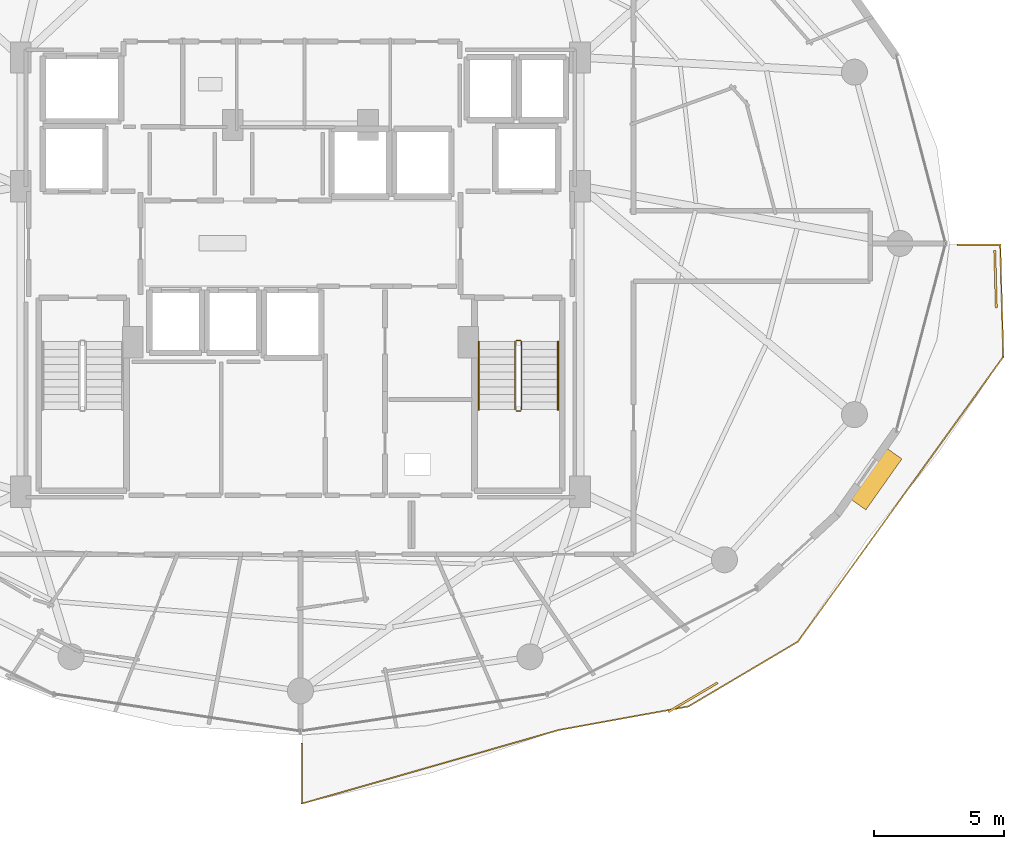
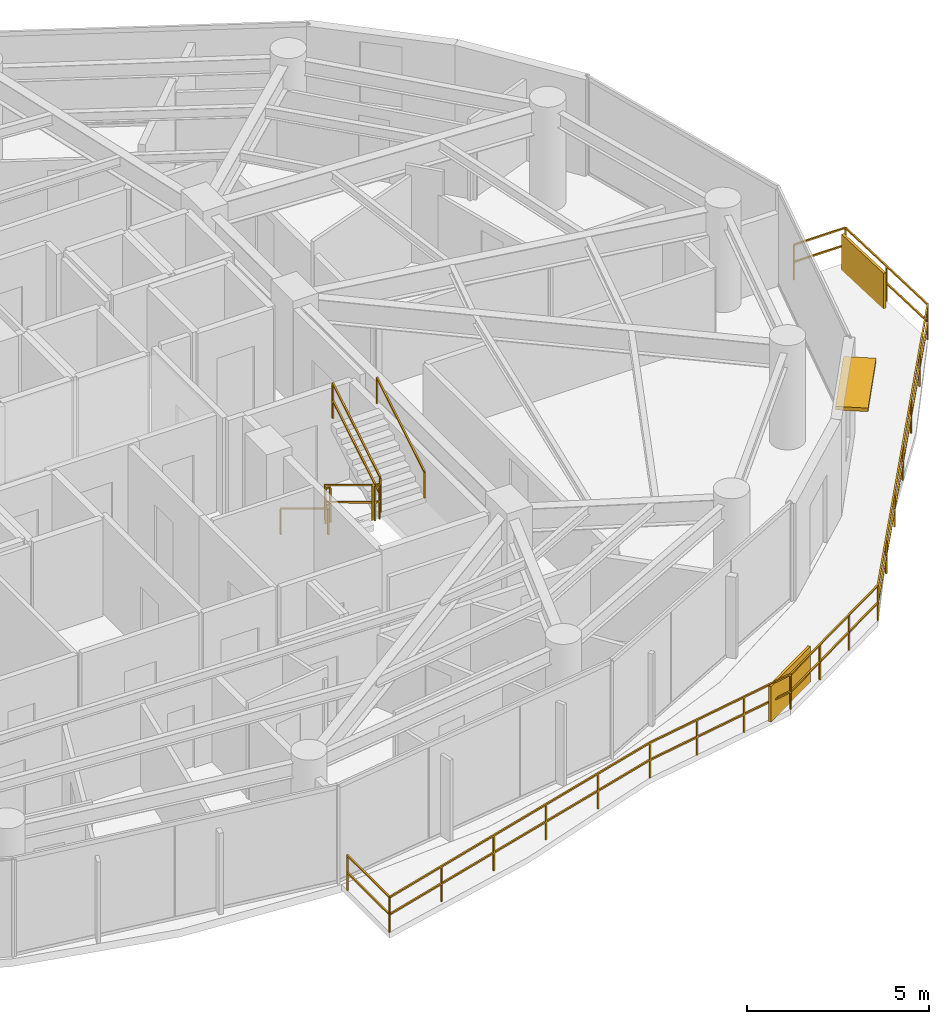
# One storey, part 29 of 31: 8 railings, 3 shading devices.
"""IFC4 building model written with IfcOpenShell, lengths in metres."""

from ifc_helpers import new_model, si_unit, direction, frame, origin, origin_2d, place, context, subcontext, project, spatial, rectangle, extrude, material, type_object, element, save


model = new_model("IFC4")

# Units and contexts
model_context = context("Model", 3, precision=1e-05, world=origin(), true_north=direction((0.0, 1.0)))
body_context = subcontext(model_context, "Body", "Model", "MODEL_VIEW")
ifc_project = project(units=[si_unit("LENGTHUNIT", "METRE"), si_unit("AREAUNIT", "SQUARE_METRE"), si_unit("VOLUMEUNIT", "CUBIC_METRE"), si_unit("PLANEANGLEUNIT", "RADIAN"), si_unit("MASSUNIT", "GRAM", prefix="KILO")], contexts=[model_context])

# Site, building, storey
site_placement = place(None, origin())
site = spatial("IfcSite", under=ifc_project, at=site_placement, CompositionType="ELEMENT")
building_placement = place(site_placement, origin())
building = spatial("IfcBuilding", under=site, at=building_placement, Name="Vorneva Point Tower", CompositionType="ELEMENT")
storey_placement = place(building_placement, frame((0.0, 0.0, 129.10009765625)))
storey = spatial("IfcBuildingStorey", under=building, at=storey_placement, Name="L34", CompositionType="ELEMENT", Elevation=129.10009765625)

# Railings
ifc_material_1 = material(Name="Pale anodised aluminium", Category="aluminium")
railing_type_1 = type_object("IfcRailingType", Name="RL-BAL-1200", PredefinedType="BALUSTRADE", material=ifc_material_1)
railing_1_placement = place(storey_placement, frame((65.020751953125, 21.643310546875, 0.0)))
element("IfcRailing", 1, at=railing_1_placement, inside=storey, type_object=railing_type_1, Name="L34 Wave Balcony Balustrade SE.1", PredefinedType="BALUSTRADE", context=body_context, shape_type="SweptSolid", body=[
    extrude(rectangle(XDim=0.048095703125, YDim=0.048095703125, at=origin_2d()), frame((0.0, 0.0, 1.17578125), z_axis=(-0.027710443314, 0.999615991935, 0.0), x_axis=(-0.999615991935, -0.027710443314, 0.0)), (0.0, 0.0, 1.0), 4.308349609375),
    extrude(rectangle(XDim=0.048095703125, YDim=0.048095703125, at=origin_2d()), frame((0.0, 0.0, 0.60009765625), z_axis=(-0.027710443314, 0.999615991935, 0.0), x_axis=(-0.999615991935, -0.027710443314, 0.0)), (0.0, 0.0, 1.0), 4.308349609375),
    extrude(rectangle(XDim=0.048095703125, YDim=0.048095703125, at=origin_2d()), frame((-0.119384765625, 4.306640625, 1.17578125), z_axis=(-1.0, 0.0, 0.0), x_axis=(0.0, -1.0, 0.0)), (0.0, 0.0, 1.0), 1.63525390625),
    extrude(rectangle(XDim=0.048095703125, YDim=0.048095703125, at=origin_2d()), frame((-0.119384765625, 4.306640625, 0.60009765625), z_axis=(-1.0, 0.0, 0.0), x_axis=(0.0, -1.0, 0.0)), (0.0, 0.0, 1.0), 1.63525390625),
    extrude(rectangle(XDim=0.0419921875, YDim=0.0419921875, at=origin_2d()), origin(), (0.0, 0.0, 1.0), 1.15185546875),
    extrude(rectangle(XDim=0.0419921875, YDim=0.0419921875, at=origin_2d()), frame((-0.0595703125, 2.1533203125, 0.0)), (0.0, 0.0, 1.0), 1.15185546875),
    extrude(rectangle(XDim=0.0419921875, YDim=0.0419921875, at=origin_2d()), frame((-0.119384765625, 4.306640625, 0.0)), (0.0, 0.0, 1.0), 1.15185546875),
    extrude(rectangle(XDim=0.0419921875, YDim=0.0419921875, at=origin_2d()), frame((-1.754638671875, 4.306640625, 0.0)), (0.0, 0.0, 1.0), 1.15185546875),
])
railing_2_placement = place(storey_placement, frame((38.050048828125, 6.78271484375, 0.0)))
element("IfcRailing", 2, at=railing_2_placement, inside=storey, type_object=railing_type_1, Name="L34 Wave Balcony Balustrade SE.2", PredefinedType="BALUSTRADE", context=body_context, shape_type="SweptSolid", body=[
    extrude(rectangle(XDim=0.048095703125, YDim=0.048095703125, at=origin_2d()), frame((0.0, 0.0, 1.17578125), z_axis=(0.0, -1.0, 0.0), x_axis=(1.0, 0.0, 0.0)), (0.0, 0.0, 1.0), 2.32080078125),
    extrude(rectangle(XDim=0.048095703125, YDim=0.048095703125, at=origin_2d()), frame((0.0, 0.0, 0.60009765625), z_axis=(0.0, -1.0, 0.0), x_axis=(1.0, 0.0, 0.0)), (0.0, 0.0, 1.0), 2.32080078125),
    extrude(rectangle(XDim=0.048095703125, YDim=0.048095703125, at=origin_2d()), frame((0.0, -2.32080078125, 1.17578125), z_axis=(0.961314976181, 0.275451477706, 0.0), x_axis=(-0.275451477706, 0.961314976181, 0.0)), (0.0, 0.0, 1.0), 10.285888671875),
    extrude(rectangle(XDim=0.048095703125, YDim=0.048095703125, at=origin_2d()), frame((0.0, -2.32080078125, 0.60009765625), z_axis=(0.961314976181, 0.275451477706, 0.0), x_axis=(-0.275451477706, 0.961314976181, 0.0)), (0.0, 0.0, 1.0), 10.285888671875),
    extrude(rectangle(XDim=0.048095703125, YDim=0.048095703125, at=origin_2d()), frame((9.887939453125, 0.512451171875, 1.17578125), z_axis=(0.983942381483, 0.178486385816, 0.0), x_axis=(-0.178486385816, 0.983942381483, 0.0)), (0.0, 0.0, 1.0), 5.06103515625),
    extrude(rectangle(XDim=0.048095703125, YDim=0.048095703125, at=origin_2d()), frame((9.887939453125, 0.512451171875, 0.60009765625), z_axis=(0.983942381483, 0.178486385816, 0.0), x_axis=(-0.178486385816, 0.983942381483, 0.0)), (0.0, 0.0, 1.0), 5.06103515625),
    extrude(rectangle(XDim=0.048095703125, YDim=0.048095703125, at=origin_2d()), frame((14.86767578125, 1.415771484375, 1.17578125), z_axis=(0.860395480632, 0.509626938955, 0.0), x_axis=(-0.509626938955, 0.860395480632, 0.0)), (0.0, 0.0, 1.0), 4.882568359375),
    extrude(rectangle(XDim=0.048095703125, YDim=0.048095703125, at=origin_2d()), frame((14.86767578125, 1.415771484375, 0.60009765625), z_axis=(0.860395480632, 0.509626938955, 0.0), x_axis=(-0.509626938955, 0.860395480632, 0.0)), (0.0, 0.0, 1.0), 4.882568359375),
    extrude(rectangle(XDim=0.048095703125, YDim=0.048095703125, at=origin_2d()), frame((19.068603515625, 3.904052734375, 1.17578125), z_axis=(0.584957265897, 0.811064114034, 0.0), x_axis=(-0.811064114034, 0.584957265897, 0.0)), (0.0, 0.0, 1.0), 13.5087890625),
    extrude(rectangle(XDim=0.048095703125, YDim=0.048095703125, at=origin_2d()), frame((19.068603515625, 3.904052734375, 0.60009765625), z_axis=(0.584957265897, 0.811064114034, 0.0), x_axis=(-0.811064114034, 0.584957265897, 0.0)), (0.0, 0.0, 1.0), 13.5087890625),
    extrude(rectangle(XDim=0.0419921875, YDim=0.0419921875, at=origin_2d()), origin(), (0.0, 0.0, 1.0), 1.15185546875),
    extrude(rectangle(XDim=0.0419921875, YDim=0.0419921875, at=origin_2d()), frame((0.0, -2.32080078125, 0.0)), (0.0, 0.0, 1.0), 1.15185546875),
    extrude(rectangle(XDim=0.0419921875, YDim=0.0419921875, at=origin_2d()), frame((1.9775390625, -1.754150390625, 0.0)), (0.0, 0.0, 1.0), 1.15185546875),
    extrude(rectangle(XDim=0.0419921875, YDim=0.0419921875, at=origin_2d()), frame((3.955078125, -1.1875, 0.0)), (0.0, 0.0, 1.0), 1.15185546875),
    extrude(rectangle(XDim=0.0419921875, YDim=0.0419921875, at=origin_2d()), frame((5.932861328125, -0.620849609375, 0.0)), (0.0, 0.0, 1.0), 1.15185546875),
    extrude(rectangle(XDim=0.0419921875, YDim=0.0419921875, at=origin_2d()), frame((7.910400390625, -0.05419921875, 0.0)), (0.0, 0.0, 1.0), 1.15185546875),
    extrude(rectangle(XDim=0.0419921875, YDim=0.0419921875, at=origin_2d()), frame((9.887939453125, 0.512451171875, 0.0)), (0.0, 0.0, 1.0), 1.15185546875),
    extrude(rectangle(XDim=0.0419921875, YDim=0.0419921875, at=origin_2d()), frame((11.5478515625, 0.8134765625, 0.0)), (0.0, 0.0, 1.0), 1.15185546875),
    extrude(rectangle(XDim=0.0419921875, YDim=0.0419921875, at=origin_2d()), frame((13.207763671875, 1.11474609375, 0.0)), (0.0, 0.0, 1.0), 1.15185546875),
    extrude(rectangle(XDim=0.0419921875, YDim=0.0419921875, at=origin_2d()), frame((14.86767578125, 1.415771484375, 0.0)), (0.0, 0.0, 1.0), 1.15185546875),
    extrude(rectangle(XDim=0.0419921875, YDim=0.0419921875, at=origin_2d()), frame((16.26806640625, 2.2451171875, 0.0)), (0.0, 0.0, 1.0), 1.15185546875),
    extrude(rectangle(XDim=0.0419921875, YDim=0.0419921875, at=origin_2d()), frame((17.668212890625, 3.07470703125, 0.0)), (0.0, 0.0, 1.0), 1.15185546875),
    extrude(rectangle(XDim=0.0419921875, YDim=0.0419921875, at=origin_2d()), frame((19.068603515625, 3.904052734375, 0.0)), (0.0, 0.0, 1.0), 1.15185546875),
    extrude(rectangle(XDim=0.0419921875, YDim=0.0419921875, at=origin_2d()), frame((20.3857421875, 5.730224609375, 0.0)), (0.0, 0.0, 1.0), 1.15185546875),
    extrude(rectangle(XDim=0.0419921875, YDim=0.0419921875, at=origin_2d()), frame((21.70263671875, 7.55615234375, 0.0)), (0.0, 0.0, 1.0), 1.15185546875),
    extrude(rectangle(XDim=0.0419921875, YDim=0.0419921875, at=origin_2d()), frame((23.01953125, 9.38232421875, 0.0)), (0.0, 0.0, 1.0), 1.15185546875),
    extrude(rectangle(XDim=0.0419921875, YDim=0.0419921875, at=origin_2d()), frame((24.336669921875, 11.20849609375, 0.0)), (0.0, 0.0, 1.0), 1.15185546875),
    extrude(rectangle(XDim=0.0419921875, YDim=0.0419921875, at=origin_2d()), frame((25.65380859375, 13.034423828125, 0.0)), (0.0, 0.0, 1.0), 1.15185546875),
    extrude(rectangle(XDim=0.0419921875, YDim=0.0419921875, at=origin_2d()), frame((26.970703125, 14.860595703125, 0.0)), (0.0, 0.0, 1.0), 1.15185546875),
])
ifc_material_2 = material(Name="Brushed stainless steel S304", Category="steel")
railing_type_2 = type_object("IfcRailingType", Name="RL-HND-920", PredefinedType="HANDRAIL", material=ifc_material_2)
railing_3_placement = place(storey_placement, frame((44.85009765625, 22.219970703125, 0.1748046875)))
element("IfcRailing", 3, at=railing_3_placement, inside=storey, type_object=railing_type_2, Name="L34 ST2 stair handrail 1", PredefinedType="HANDRAIL", context=body_context, shape_type="SweptSolid", body=[
    extrude(rectangle(XDim=0.048095703125, YDim=0.048095703125, at=origin_2d()), frame((0.0, 0.0, 0.8759765625), z_axis=(0.0, -0.856147343639, 0.516731773728), x_axis=(1.0, 0.0, 0.0)), (0.0, 0.0, 1.0), 3.04833984375),
    extrude(rectangle(XDim=0.0419921875, YDim=0.0419921875, at=origin_2d()), origin(), (0.0, 0.0, 1.0), 0.851806640625),
    extrude(rectangle(XDim=0.0419921875, YDim=0.0419921875, at=origin_2d()), frame((0.0, -2.60986328125, 1.5751953125)), (0.0, 0.0, 1.0), 0.851806640625),
])
railing_4_placement = place(storey_placement, frame((47.89990234375, 19.610107421875, 1.9248046875)))
element("IfcRailing", 4, at=railing_4_placement, inside=storey, type_object=railing_type_2, Name="L34 ST2 stair handrail 2", PredefinedType="HANDRAIL", context=body_context, shape_type="SweptSolid", body=[
    extrude(rectangle(XDim=0.048095703125, YDim=0.048095703125, at=origin_2d()), frame((0.0, 0.0, 0.8759765625), z_axis=(0.0, 0.856147343639, 0.516731773728), x_axis=(-1.0, 0.0, 0.0)), (0.0, 0.0, 1.0), 3.04833984375),
    extrude(rectangle(XDim=0.0419921875, YDim=0.0419921875, at=origin_2d()), origin(), (0.0, 0.0, 1.0), 0.851806640625),
    extrude(rectangle(XDim=0.0419921875, YDim=0.0419921875, at=origin_2d()), frame((0.0, 2.60986328125, 1.5751953125)), (0.0, 0.0, 1.0), 0.851806640625),
])
railing_type_3 = type_object("IfcRailingType", Name="RL-STG-1100", PredefinedType="GUARDRAIL", material=ifc_material_2)
railing_5_placement = place(storey_placement, frame((46.25, 22.219970703125, 0.1748046875)))
element("IfcRailing", 5, at=railing_5_placement, inside=storey, type_object=railing_type_3, Name="L34 ST2 stair guard 1", PredefinedType="GUARDRAIL", context=body_context, shape_type="SweptSolid", body=[
    extrude(rectangle(XDim=0.048095703125, YDim=0.048095703125, at=origin_2d()), frame((0.0, 0.0, 1.17578125), z_axis=(0.0, -0.856147343639, 0.516731773728), x_axis=(1.0, 0.0, 0.0)), (0.0, 0.0, 1.0), 3.04833984375),
    extrude(rectangle(XDim=0.048095703125, YDim=0.048095703125, at=origin_2d()), frame((0.0, 0.0, 0.60009765625), z_axis=(0.0, -0.856147343639, 0.516731773728), x_axis=(1.0, 0.0, 0.0)), (0.0, 0.0, 1.0), 3.04833984375),
    extrude(rectangle(XDim=0.0419921875, YDim=0.0419921875, at=origin_2d()), origin(), (0.0, 0.0, 1.0), 1.15185546875),
    extrude(rectangle(XDim=0.0419921875, YDim=0.0419921875, at=origin_2d()), frame((0.0, -2.60986328125, 1.5751953125)), (0.0, 0.0, 1.0), 1.15185546875),
])
railing_6_placement = place(storey_placement, frame((46.300048828125, 19.56005859375, 1.75)))
element("IfcRailing", 6, at=railing_6_placement, inside=storey, type_object=railing_type_3, Name="L34 ST2 stair guard 2", PredefinedType="GUARDRAIL", context=body_context, shape_type="SweptSolid", body=[
    extrude(rectangle(XDim=0.048095703125, YDim=0.048095703125, at=origin_2d()), frame((0.0, 0.0, 1.17578125), z_axis=(1.0, 0.0, 0.0), x_axis=(0.0, 1.0, 0.0)), (0.0, 0.0, 1.0), 0.14990234375),
    extrude(rectangle(XDim=0.048095703125, YDim=0.048095703125, at=origin_2d()), frame((0.0, 0.0, 0.60009765625), z_axis=(1.0, 0.0, 0.0), x_axis=(0.0, 1.0, 0.0)), (0.0, 0.0, 1.0), 0.14990234375),
    extrude(rectangle(XDim=0.0419921875, YDim=0.0419921875, at=origin_2d()), origin(), (0.0, 0.0, 1.0), 1.15185546875),
    extrude(rectangle(XDim=0.0419921875, YDim=0.0419921875, at=origin_2d()), frame((0.14990234375, 0.0, 0.0)), (0.0, 0.0, 1.0), 1.15185546875),
])
railing_7_placement = place(storey_placement, frame((46.5, 19.610107421875, 1.9248046875)))
element("IfcRailing", 7, at=railing_7_placement, inside=storey, type_object=railing_type_3, Name="L34 ST2 stair guard 3", PredefinedType="GUARDRAIL", context=body_context, shape_type="SweptSolid", body=[
    extrude(rectangle(XDim=0.048095703125, YDim=0.048095703125, at=origin_2d()), frame((0.0, 0.0, 1.17578125), z_axis=(0.0, 0.856147343639, 0.516731773728), x_axis=(-1.0, 0.0, 0.0)), (0.0, 0.0, 1.0), 3.04833984375),
    extrude(rectangle(XDim=0.048095703125, YDim=0.048095703125, at=origin_2d()), frame((0.0, 0.0, 0.60009765625), z_axis=(0.0, 0.856147343639, 0.516731773728), x_axis=(-1.0, 0.0, 0.0)), (0.0, 0.0, 1.0), 3.04833984375),
    extrude(rectangle(XDim=0.0419921875, YDim=0.0419921875, at=origin_2d()), origin(), (0.0, 0.0, 1.0), 1.15185546875),
    extrude(rectangle(XDim=0.0419921875, YDim=0.0419921875, at=origin_2d()), frame((0.0, 2.60986328125, 1.5751953125)), (0.0, 0.0, 1.0), 1.15185546875),
])
railing_8_placement = place(storey_placement, frame((46.300048828125, 22.27001953125, 0.0)))
element("IfcRailing", 8, at=railing_8_placement, inside=storey, type_object=railing_type_3, Name="L34 ST2 stair guard 4", PredefinedType="GUARDRAIL", context=body_context, shape_type="SweptSolid", body=[
    extrude(rectangle(XDim=0.048095703125, YDim=0.048095703125, at=origin_2d()), frame((0.0, 0.0, 1.17578125), z_axis=(1.0, 0.0, 0.0), x_axis=(0.0, 1.0, 0.0)), (0.0, 0.0, 1.0), 0.14990234375),
    extrude(rectangle(XDim=0.048095703125, YDim=0.048095703125, at=origin_2d()), frame((0.0, 0.0, 0.60009765625), z_axis=(1.0, 0.0, 0.0), x_axis=(0.0, 1.0, 0.0)), (0.0, 0.0, 1.0), 0.14990234375),
    extrude(rectangle(XDim=0.0419921875, YDim=0.0419921875, at=origin_2d()), origin(), (0.0, 0.0, 1.0), 1.15185546875),
    extrude(rectangle(XDim=0.0419921875, YDim=0.0419921875, at=origin_2d()), frame((0.14990234375, 0.0, 0.0)), (0.0, 0.0, 1.0), 1.15185546875),
])

# Shading devices
shading_device_type_1 = type_object("IfcShadingDeviceType", Name="SHD-AWN-900", PredefinedType="AWNING", material=ifc_material_1)
shading_device_placement = place(storey_placement, frame((60.060302734375, 16.99609375, 2.999755859375), z_axis=(0.0, 0.0, 1.0), x_axis=(0.577287712086, 0.816540811886, 0.0)))
element("IfcShadingDevice", 9, at=shading_device_placement, inside=storey, type_object=shading_device_type_1, Name="L34 Pale-Aluminium Brise-Soleil Awning 15", PredefinedType="AWNING", context=body_context, shape_type="SweptSolid", body=[
    extrude(rectangle(XDim=2.39990234375, YDim=0.89990234375, at=origin_2d()), origin(), (0.0, 0.0, 1.0), 0.1201171875),
])
shading_device_type_2 = type_object("IfcShadingDeviceType", Name="SHD-JAL-1200", PredefinedType="JALOUSIE", material=ifc_material_1)
for number, where, z_axis, x_axis, name in (
    (10, (64.71875, 24.625244140625, -0.02001953125), (0.0, 0.0, 1.0), (-0.027694833666, 0.999616424529, 0.0), "L34 Balcony Vertical-Greenery Planter Screen SE.1"),
    (11, (53.08544921875, 8.54931640625, -0.02001953125), (0.0, 0.0, 1.0), (0.860386439326, 0.509642202947, 0.0), "L34 Balcony Vertical-Greenery Planter Screen SE.2"),
):
    element("IfcShadingDevice", number, at=place(storey_placement, frame(where, z_axis=z_axis, x_axis=x_axis)), inside=storey, type_object=shading_device_type_2, Name=name, PredefinedType="JALOUSIE", context=body_context, shape_type="SweptSolid", body=[
        extrude(rectangle(XDim=2.199951171875, YDim=0.080078125, at=origin_2d()), origin(), (0.0, 0.0, 1.0), 1.199951171875),
    ])

save(model, "model.ifc")
